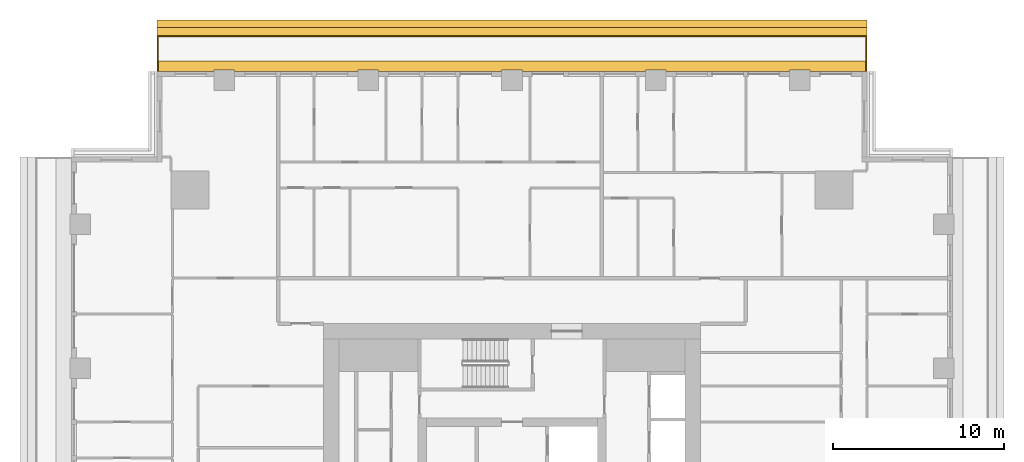
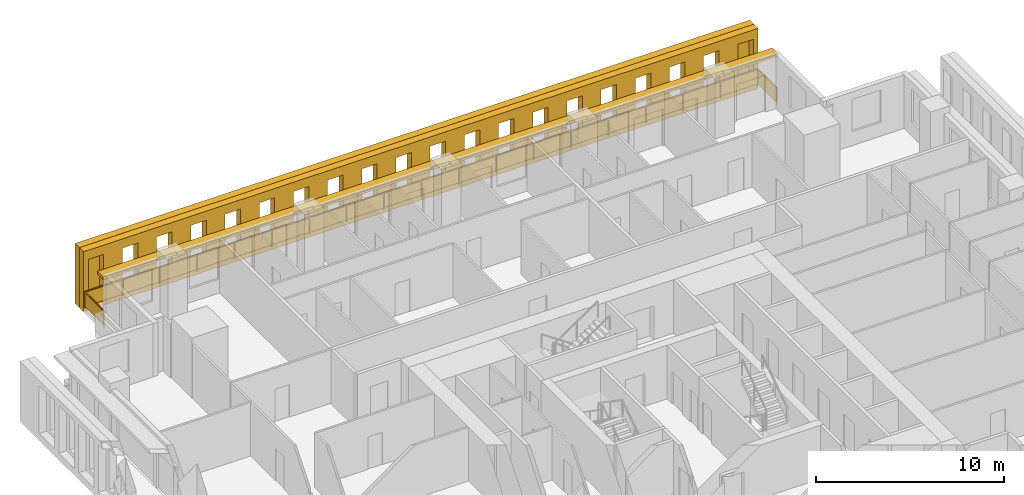
# One storey, part 16 of 16: 3 shading devices, 1 railing.
"""IFC4 building model written with IfcOpenShell, lengths in metres."""

from ifc_helpers import new_model, si_unit, direction, frame, origin, origin_2d, place, context, subcontext, project, spatial, polyline, rectangle, outline, extrude, material, layer, layer_set, type_object, element, save


model = new_model("IFC4")

# Units and contexts
model_context = context("Model", 3, precision=1e-05, world=origin(), true_north=direction((0.0, 1.0)))
body_context = subcontext(model_context, "Body", "Model", "MODEL_VIEW")
ifc_project = project(units=[si_unit("LENGTHUNIT", "METRE"), si_unit("AREAUNIT", "SQUARE_METRE"), si_unit("VOLUMEUNIT", "CUBIC_METRE"), si_unit("PLANEANGLEUNIT", "RADIAN"), si_unit("MASSUNIT", "GRAM", prefix="KILO")], contexts=[model_context])

# Site, building, storey
site_placement = place(None, origin())
site = spatial("IfcSite", under=ifc_project, at=site_placement, CompositionType="ELEMENT")
building_placement = place(site_placement, origin())
building = spatial("IfcBuilding", under=site, at=building_placement, Name="Khepri Terraces", CompositionType="ELEMENT")
storey_placement = place(building_placement, frame((0.0, 0.0, 240.60009765625)))
storey = spatial("IfcBuildingStorey", under=building, at=storey_placement, Name="L57", CompositionType="ELEMENT", Elevation=240.60009765625)

# Railing
ifc_material_1 = material(Name="Stainless steel grade 316", Category="steel")
railing_type = type_object("IfcRailingType", Name="GRD-BAL-1100", PredefinedType="GUARDRAIL", material=ifc_material_1)
railing_placement = place(storey_placement, frame((20.669921875, 25.719970703125, 0.0)))
element("IfcRailing", 1, at=railing_placement, inside=storey, type_object=railing_type, Name="Balcony guard L57 N", PredefinedType="GUARDRAIL", context=body_context, shape_type="SweptSolid", body=[
    extrude(rectangle(XDim=0.050048828125, YDim=0.06005859375, at=origin_2d()), frame((0.0, 0.0, 1.070068359375), z_axis=(0.0, 1.0, 0.0), x_axis=(-1.0, 0.0, 0.0)), (0.0, 0.0, 1.0), 2.050048828125),
    extrude(rectangle(XDim=2.0, YDim=0.011962890625, at=origin_2d()), frame((0.0, 1.02490234375, 0.10009765625), z_axis=(0.0, 0.0, 1.0), x_axis=(0.0, 1.0, 0.0)), (0.0, 0.0, 1.0), 0.93994140625),
    extrude(rectangle(XDim=0.050048828125, YDim=0.06005859375, at=origin_2d()), frame((0.0, 2.050048828125, 1.070068359375), z_axis=(-1.0, 0.0, 0.0), x_axis=(0.0, -1.0, 0.0)), (0.0, 0.0, 1.0), 41.33984375),
    extrude(rectangle(XDim=2.24658203125, YDim=0.011962890625, at=origin_2d()), frame((-1.1484375, 2.050048828125, 0.10009765625), z_axis=(0.0, 0.0, 1.0), x_axis=(-1.0, 0.0, 0.0)), (0.0, 0.0, 1.0), 0.93994140625),
    extrude(rectangle(XDim=2.24658203125, YDim=0.011962890625, at=origin_2d()), frame((-3.445068359375, 2.050048828125, 0.10009765625), z_axis=(0.0, 0.0, 1.0), x_axis=(-1.0, 0.0, 0.0)), (0.0, 0.0, 1.0), 0.93994140625),
    extrude(rectangle(XDim=2.24658203125, YDim=0.011962890625, at=origin_2d()), frame((-5.74169921875, 2.050048828125, 0.10009765625), z_axis=(0.0, 0.0, 1.0), x_axis=(-1.0, 0.0, 0.0)), (0.0, 0.0, 1.0), 0.93994140625),
    extrude(rectangle(XDim=2.24658203125, YDim=0.011962890625, at=origin_2d()), frame((-8.038330078125, 2.050048828125, 0.10009765625), z_axis=(0.0, 0.0, 1.0), x_axis=(-1.0, 0.0, 0.0)), (0.0, 0.0, 1.0), 0.93994140625),
    extrude(rectangle(XDim=2.24658203125, YDim=0.011962890625, at=origin_2d()), frame((-10.3349609375, 2.050048828125, 0.10009765625), z_axis=(0.0, 0.0, 1.0), x_axis=(-1.0, 0.0, 0.0)), (0.0, 0.0, 1.0), 0.93994140625),
    extrude(rectangle(XDim=2.24658203125, YDim=0.011962890625, at=origin_2d()), frame((-12.631591796875, 2.050048828125, 0.10009765625), z_axis=(0.0, 0.0, 1.0), x_axis=(-1.0, 0.0, 0.0)), (0.0, 0.0, 1.0), 0.93994140625),
    extrude(rectangle(XDim=2.24658203125, YDim=0.011962890625, at=origin_2d()), frame((-14.92822265625, 2.050048828125, 0.10009765625), z_axis=(0.0, 0.0, 1.0), x_axis=(-1.0, 0.0, 0.0)), (0.0, 0.0, 1.0), 0.93994140625),
    extrude(rectangle(XDim=2.24658203125, YDim=0.011962890625, at=origin_2d()), frame((-17.224853515625, 2.050048828125, 0.10009765625), z_axis=(0.0, 0.0, 1.0), x_axis=(-1.0, 0.0, 0.0)), (0.0, 0.0, 1.0), 0.93994140625),
    extrude(rectangle(XDim=2.24658203125, YDim=0.011962890625, at=origin_2d()), frame((-19.521484375, 2.050048828125, 0.10009765625), z_axis=(0.0, 0.0, 1.0), x_axis=(-1.0, 0.0, 0.0)), (0.0, 0.0, 1.0), 0.93994140625),
    extrude(rectangle(XDim=2.24658203125, YDim=0.011962890625, at=origin_2d()), frame((-21.818359375, 2.050048828125, 0.10009765625), z_axis=(0.0, 0.0, 1.0), x_axis=(-1.0, 0.0, 0.0)), (0.0, 0.0, 1.0), 0.93994140625),
    extrude(rectangle(XDim=2.24658203125, YDim=0.011962890625, at=origin_2d()), frame((-24.114990234375, 2.050048828125, 0.10009765625), z_axis=(0.0, 0.0, 1.0), x_axis=(-1.0, 0.0, 0.0)), (0.0, 0.0, 1.0), 0.93994140625),
    extrude(rectangle(XDim=2.24658203125, YDim=0.011962890625, at=origin_2d()), frame((-26.41162109375, 2.050048828125, 0.10009765625), z_axis=(0.0, 0.0, 1.0), x_axis=(-1.0, 0.0, 0.0)), (0.0, 0.0, 1.0), 0.93994140625),
    extrude(rectangle(XDim=2.24658203125, YDim=0.011962890625, at=origin_2d()), frame((-28.708251953125, 2.050048828125, 0.10009765625), z_axis=(0.0, 0.0, 1.0), x_axis=(-1.0, 0.0, 0.0)), (0.0, 0.0, 1.0), 0.93994140625),
    extrude(rectangle(XDim=2.24658203125, YDim=0.011962890625, at=origin_2d()), frame((-31.0048828125, 2.050048828125, 0.10009765625), z_axis=(0.0, 0.0, 1.0), x_axis=(-1.0, 0.0, 0.0)), (0.0, 0.0, 1.0), 0.93994140625),
    extrude(rectangle(XDim=2.24658203125, YDim=0.011962890625, at=origin_2d()), frame((-33.301513671875, 2.050048828125, 0.10009765625), z_axis=(0.0, 0.0, 1.0), x_axis=(-1.0, 0.0, 0.0)), (0.0, 0.0, 1.0), 0.93994140625),
    extrude(rectangle(XDim=2.24658203125, YDim=0.011962890625, at=origin_2d()), frame((-35.59814453125, 2.050048828125, 0.10009765625), z_axis=(0.0, 0.0, 1.0), x_axis=(-1.0, 0.0, 0.0)), (0.0, 0.0, 1.0), 0.93994140625),
    extrude(rectangle(XDim=2.24658203125, YDim=0.011962890625, at=origin_2d()), frame((-37.894775390625, 2.050048828125, 0.10009765625), z_axis=(0.0, 0.0, 1.0), x_axis=(-1.0, 0.0, 0.0)), (0.0, 0.0, 1.0), 0.93994140625),
    extrude(rectangle(XDim=2.24658203125, YDim=0.011962890625, at=origin_2d()), frame((-40.19140625, 2.050048828125, 0.10009765625), z_axis=(0.0, 0.0, 1.0), x_axis=(-1.0, 0.0, 0.0)), (0.0, 0.0, 1.0), 0.93994140625),
    extrude(rectangle(XDim=0.050048828125, YDim=0.06005859375, at=origin_2d()), frame((-41.33984375, 2.050048828125, 1.070068359375), z_axis=(0.0, -1.0, 0.0), x_axis=(1.0, 0.0, 0.0)), (0.0, 0.0, 1.0), 2.050048828125),
    extrude(rectangle(XDim=2.0, YDim=0.011962890625, at=origin_2d()), frame((-41.33984375, 1.02490234375, 0.10009765625), z_axis=(0.0, 0.0, 1.0), x_axis=(0.0, -1.0, 0.0)), (0.0, 0.0, 1.0), 0.93994140625),
    extrude(rectangle(XDim=0.050048828125, YDim=0.050048828125, at=origin_2d()), origin(), (0.0, 0.0, 1.0), 1.0400390625),
    extrude(rectangle(XDim=0.050048828125, YDim=0.050048828125, at=origin_2d()), frame((0.0, 2.050048828125, 0.0)), (0.0, 0.0, 1.0), 1.0400390625),
    extrude(rectangle(XDim=0.050048828125, YDim=0.050048828125, at=origin_2d()), frame((-2.296630859375, 2.050048828125, 0.0)), (0.0, 0.0, 1.0), 1.0400390625),
    extrude(rectangle(XDim=0.050048828125, YDim=0.050048828125, at=origin_2d()), frame((-4.59326171875, 2.050048828125, 0.0)), (0.0, 0.0, 1.0), 1.0400390625),
    extrude(rectangle(XDim=0.050048828125, YDim=0.050048828125, at=origin_2d()), frame((-6.889892578125, 2.050048828125, 0.0)), (0.0, 0.0, 1.0), 1.0400390625),
    extrude(rectangle(XDim=0.050048828125, YDim=0.050048828125, at=origin_2d()), frame((-9.1865234375, 2.050048828125, 0.0)), (0.0, 0.0, 1.0), 1.0400390625),
    extrude(rectangle(XDim=0.050048828125, YDim=0.050048828125, at=origin_2d()), frame((-11.4833984375, 2.050048828125, 0.0)), (0.0, 0.0, 1.0), 1.0400390625),
    extrude(rectangle(XDim=0.050048828125, YDim=0.050048828125, at=origin_2d()), frame((-13.780029296875, 2.050048828125, 0.0)), (0.0, 0.0, 1.0), 1.0400390625),
    extrude(rectangle(XDim=0.050048828125, YDim=0.050048828125, at=origin_2d()), frame((-16.07666015625, 2.050048828125, 0.0)), (0.0, 0.0, 1.0), 1.0400390625),
    extrude(rectangle(XDim=0.050048828125, YDim=0.050048828125, at=origin_2d()), frame((-18.373291015625, 2.050048828125, 0.0)), (0.0, 0.0, 1.0), 1.0400390625),
    extrude(rectangle(XDim=0.050048828125, YDim=0.050048828125, at=origin_2d()), frame((-20.669921875, 2.050048828125, 0.0)), (0.0, 0.0, 1.0), 1.0400390625),
    extrude(rectangle(XDim=0.050048828125, YDim=0.050048828125, at=origin_2d()), frame((-22.966552734375, 2.050048828125, 0.0)), (0.0, 0.0, 1.0), 1.0400390625),
    extrude(rectangle(XDim=0.050048828125, YDim=0.050048828125, at=origin_2d()), frame((-25.26318359375, 2.050048828125, 0.0)), (0.0, 0.0, 1.0), 1.0400390625),
    extrude(rectangle(XDim=0.050048828125, YDim=0.050048828125, at=origin_2d()), frame((-27.559814453125, 2.050048828125, 0.0)), (0.0, 0.0, 1.0), 1.0400390625),
    extrude(rectangle(XDim=0.050048828125, YDim=0.050048828125, at=origin_2d()), frame((-29.8564453125, 2.050048828125, 0.0)), (0.0, 0.0, 1.0), 1.0400390625),
    extrude(rectangle(XDim=0.050048828125, YDim=0.050048828125, at=origin_2d()), frame((-32.1533203125, 2.050048828125, 0.0)), (0.0, 0.0, 1.0), 1.0400390625),
    extrude(rectangle(XDim=0.050048828125, YDim=0.050048828125, at=origin_2d()), frame((-34.449951171875, 2.050048828125, 0.0)), (0.0, 0.0, 1.0), 1.0400390625),
    extrude(rectangle(XDim=0.050048828125, YDim=0.050048828125, at=origin_2d()), frame((-36.74658203125, 2.050048828125, 0.0)), (0.0, 0.0, 1.0), 1.0400390625),
    extrude(rectangle(XDim=0.050048828125, YDim=0.050048828125, at=origin_2d()), frame((-39.043212890625, 2.050048828125, 0.0)), (0.0, 0.0, 1.0), 1.0400390625),
    extrude(rectangle(XDim=0.050048828125, YDim=0.050048828125, at=origin_2d()), frame((-41.33984375, 2.050048828125, 0.0)), (0.0, 0.0, 1.0), 1.0400390625),
    extrude(rectangle(XDim=0.050048828125, YDim=0.050048828125, at=origin_2d()), frame((-41.33984375, 0.0, 0.0)), (0.0, 0.0, 1.0), 1.0400390625),
])

# Shading devices
ifc_material_2 = material(Name="Precast concrete C50/60 warm stone", Category="masonry")
shading_device_type_1 = type_object("IfcShadingDeviceType", Name="SCR-CELL-INNER-450", PredefinedType="USERDEFINED", material=ifc_material_2)
shading_device_1_placement = place(storey_placement, frame((20.719970703125, 27.820068359375, -0.25), z_axis=(0.0, 1.0, 0.0), x_axis=(-1.0, 0.0, 0.0)))
element("IfcShadingDevice", 2, at=shading_device_1_placement, inside=storey, type_object=shading_device_type_1, Name="Cell screen L57 N in", ObjectType="SCREEN", PredefinedType="USERDEFINED", context=body_context, shape_type="SweptSolid", body=[
    extrude(outline(polyline([(0.0, 0.0), (41.43994140625, 0.0), (41.43994140625, 3.89990234375), (0.0, 3.89990234375), (0.0, 0.0)]), holes=[polyline([(0.297607421875, 0.699951171875), (1.242431640625, 0.699951171875), (1.242431640625, 3.300048828125), (0.297607421875, 3.300048828125), (0.297607421875, 0.699951171875)]), polyline([(2.3974609375, 0.699951171875), (3.342529296875, 0.699951171875), (3.342529296875, 3.300048828125), (2.3974609375, 3.300048828125), (2.3974609375, 0.699951171875)]), polyline([(4.49755859375, 0.699951171875), (5.4423828125, 0.699951171875), (5.4423828125, 3.300048828125), (4.49755859375, 3.300048828125), (4.49755859375, 0.699951171875)]), polyline([(6.597412109375, 0.699951171875), (7.54248046875, 0.699951171875), (7.54248046875, 3.300048828125), (6.597412109375, 3.300048828125), (6.597412109375, 0.699951171875)]), polyline([(8.697509765625, 0.699951171875), (9.642578125, 0.699951171875), (9.642578125, 3.300048828125), (8.697509765625, 3.300048828125), (8.697509765625, 0.699951171875)]), polyline([(10.797607421875, 0.699951171875), (11.742431640625, 0.699951171875), (11.742431640625, 3.300048828125), (10.797607421875, 3.300048828125), (10.797607421875, 0.699951171875)]), polyline([(12.8974609375, 0.699951171875), (13.842529296875, 0.699951171875), (13.842529296875, 3.300048828125), (12.8974609375, 3.300048828125), (12.8974609375, 0.699951171875)]), polyline([(14.99755859375, 0.699951171875), (15.9423828125, 0.699951171875), (15.9423828125, 3.300048828125), (14.99755859375, 3.300048828125), (14.99755859375, 0.699951171875)]), polyline([(17.097412109375, 0.699951171875), (18.04248046875, 0.699951171875), (18.04248046875, 3.300048828125), (17.097412109375, 3.300048828125), (17.097412109375, 0.699951171875)]), polyline([(19.197509765625, 0.699951171875), (20.142578125, 0.699951171875), (20.142578125, 3.300048828125), (19.197509765625, 3.300048828125), (19.197509765625, 0.699951171875)]), polyline([(21.297607421875, 0.699951171875), (22.242431640625, 0.699951171875), (22.242431640625, 3.300048828125), (21.297607421875, 3.300048828125), (21.297607421875, 0.699951171875)]), polyline([(23.3974609375, 0.699951171875), (24.342529296875, 0.699951171875), (24.342529296875, 3.300048828125), (23.3974609375, 3.300048828125), (23.3974609375, 0.699951171875)]), polyline([(25.49755859375, 0.699951171875), (26.4423828125, 0.699951171875), (26.4423828125, 3.300048828125), (25.49755859375, 3.300048828125), (25.49755859375, 0.699951171875)]), polyline([(27.597412109375, 0.699951171875), (28.54248046875, 0.699951171875), (28.54248046875, 3.300048828125), (27.597412109375, 3.300048828125), (27.597412109375, 0.699951171875)]), polyline([(29.697509765625, 0.699951171875), (30.642578125, 0.699951171875), (30.642578125, 3.300048828125), (29.697509765625, 3.300048828125), (29.697509765625, 0.699951171875)]), polyline([(31.797607421875, 0.699951171875), (32.742431640625, 0.699951171875), (32.742431640625, 3.300048828125), (31.797607421875, 3.300048828125), (31.797607421875, 0.699951171875)]), polyline([(33.8974609375, 0.699951171875), (34.842529296875, 0.699951171875), (34.842529296875, 3.300048828125), (33.8974609375, 3.300048828125), (33.8974609375, 0.699951171875)]), polyline([(35.99755859375, 0.699951171875), (36.9423828125, 0.699951171875), (36.9423828125, 3.300048828125), (35.99755859375, 3.300048828125), (35.99755859375, 0.699951171875)]), polyline([(38.097412109375, 0.699951171875), (39.04248046875, 0.699951171875), (39.04248046875, 3.300048828125), (38.097412109375, 3.300048828125), (38.097412109375, 0.699951171875)]), polyline([(40.197509765625, 0.699951171875), (41.142578125, 0.699951171875), (41.142578125, 3.300048828125), (40.197509765625, 3.300048828125), (40.197509765625, 0.699951171875)])]), origin(), (0.0, 0.0, 1.0), 0.449951171875),
])
shading_device_type_2 = type_object("IfcShadingDeviceType", Name="SCR-CELL-OUTER-450", PredefinedType="USERDEFINED", material=ifc_material_2)
shading_device_2_placement = place(storey_placement, frame((20.719970703125, 28.27001953125, -0.25), z_axis=(0.0, 1.0, 0.0), x_axis=(-1.0, 0.0, 0.0)))
element("IfcShadingDevice", 3, at=shading_device_2_placement, inside=storey, type_object=shading_device_type_2, Name="Cell screen L57 N out", ObjectType="SCREEN", PredefinedType="USERDEFINED", context=body_context, shape_type="SweptSolid", body=[
    extrude(outline(polyline([(0.0, 0.0), (41.43994140625, 0.0), (41.43994140625, 3.89990234375), (0.0, 3.89990234375), (0.0, 0.0)]), holes=[polyline([(2.047607421875, 0.449951171875), (3.6923828125, 0.449951171875), (3.6923828125, 3.550048828125), (2.047607421875, 3.550048828125), (2.047607421875, 0.449951171875)]), polyline([(4.1474609375, 0.449951171875), (5.79248046875, 0.449951171875), (5.79248046875, 3.550048828125), (4.1474609375, 3.550048828125), (4.1474609375, 0.449951171875)]), polyline([(6.24755859375, 0.449951171875), (7.892578125, 0.449951171875), (7.892578125, 3.550048828125), (6.24755859375, 3.550048828125), (6.24755859375, 0.449951171875)]), polyline([(8.347412109375, 0.449951171875), (9.992431640625, 0.449951171875), (9.992431640625, 3.550048828125), (8.347412109375, 3.550048828125), (8.347412109375, 0.449951171875)]), polyline([(10.447509765625, 0.449951171875), (12.092529296875, 0.449951171875), (12.092529296875, 3.550048828125), (10.447509765625, 3.550048828125), (10.447509765625, 0.449951171875)]), polyline([(12.547607421875, 0.449951171875), (14.1923828125, 0.449951171875), (14.1923828125, 3.550048828125), (12.547607421875, 3.550048828125), (12.547607421875, 0.449951171875)]), polyline([(14.6474609375, 0.449951171875), (16.29248046875, 0.449951171875), (16.29248046875, 3.550048828125), (14.6474609375, 3.550048828125), (14.6474609375, 0.449951171875)]), polyline([(16.74755859375, 0.449951171875), (18.392578125, 0.449951171875), (18.392578125, 3.550048828125), (16.74755859375, 3.550048828125), (16.74755859375, 0.449951171875)]), polyline([(18.847412109375, 0.449951171875), (20.492431640625, 0.449951171875), (20.492431640625, 3.550048828125), (18.847412109375, 3.550048828125), (18.847412109375, 0.449951171875)]), polyline([(20.947509765625, 0.449951171875), (22.592529296875, 0.449951171875), (22.592529296875, 3.550048828125), (20.947509765625, 3.550048828125), (20.947509765625, 0.449951171875)]), polyline([(23.047607421875, 0.449951171875), (24.6923828125, 0.449951171875), (24.6923828125, 3.550048828125), (23.047607421875, 3.550048828125), (23.047607421875, 0.449951171875)]), polyline([(25.1474609375, 0.449951171875), (26.79248046875, 0.449951171875), (26.79248046875, 3.550048828125), (25.1474609375, 3.550048828125), (25.1474609375, 0.449951171875)]), polyline([(27.24755859375, 0.449951171875), (28.892578125, 0.449951171875), (28.892578125, 3.550048828125), (27.24755859375, 3.550048828125), (27.24755859375, 0.449951171875)]), polyline([(29.347412109375, 0.449951171875), (30.992431640625, 0.449951171875), (30.992431640625, 3.550048828125), (29.347412109375, 3.550048828125), (29.347412109375, 0.449951171875)]), polyline([(31.447509765625, 0.449951171875), (33.092529296875, 0.449951171875), (33.092529296875, 3.550048828125), (31.447509765625, 3.550048828125), (31.447509765625, 0.449951171875)]), polyline([(33.547607421875, 0.449951171875), (35.1923828125, 0.449951171875), (35.1923828125, 3.550048828125), (33.547607421875, 3.550048828125), (33.547607421875, 0.449951171875)]), polyline([(35.6474609375, 0.449951171875), (37.29248046875, 0.449951171875), (37.29248046875, 3.550048828125), (35.6474609375, 3.550048828125), (35.6474609375, 0.449951171875)]), polyline([(37.74755859375, 0.449951171875), (39.392578125, 0.449951171875), (39.392578125, 3.550048828125), (37.74755859375, 3.550048828125), (37.74755859375, 0.449951171875)])]), origin(), (0.0, 0.0, 1.0), 0.449951171875),
])
ifc_layer = layer(ifc_material_2, 0.199951171875, Name="Precast concrete C50/60 warm stone", Category="masonry")
ifc_layer_set = layer_set([ifc_layer], Name="Precast concrete C50/60 warm stone")
shading_device_type_3 = type_object("IfcShadingDeviceType", Name="SSH-BAND-STONE-200-N", PredefinedType="USERDEFINED", material=ifc_layer_set)
shading_device_3_placement = place(storey_placement, frame((0.0, 0.0, 3.099853515625)))
element("IfcShadingDevice", 4, at=shading_device_3_placement, inside=storey, type_object=shading_device_type_3, Name="Sunshade band L57 N", ObjectType="SUNSHADE", PredefinedType="USERDEFINED", context=body_context, shape_type="SweptSolid", body=[
    extrude(outline(polyline([(17.39990234375, 25.719970703125), (20.719970703125, 25.719970703125), (20.719970703125, 26.320068359375), (-20.719970703125, 26.320068359375), (-20.719970703125, 25.719970703125), (-17.39990234375, 25.719970703125), (-17.39990234375, 25.800048828125), (-16.199951171875, 25.800048828125), (-16.199951171875, 25.719970703125), (-9.0, 25.719970703125), (-9.0, 25.800048828125), (-7.800048828125, 25.800048828125), (-7.800048828125, 25.719970703125), (-0.60009765625, 25.719970703125), (-0.60009765625, 25.800048828125), (0.60009765625, 25.800048828125), (0.60009765625, 25.719970703125), (7.800048828125, 25.719970703125), (7.800048828125, 25.800048828125), (9.0, 25.800048828125), (9.0, 25.719970703125), (16.199951171875, 25.719970703125), (16.199951171875, 25.800048828125), (17.39990234375, 25.800048828125), (17.39990234375, 25.719970703125)])), origin(), (0.0, 0.0, 1.0), 0.199951171875),
])

save(model, "model.ifc")
